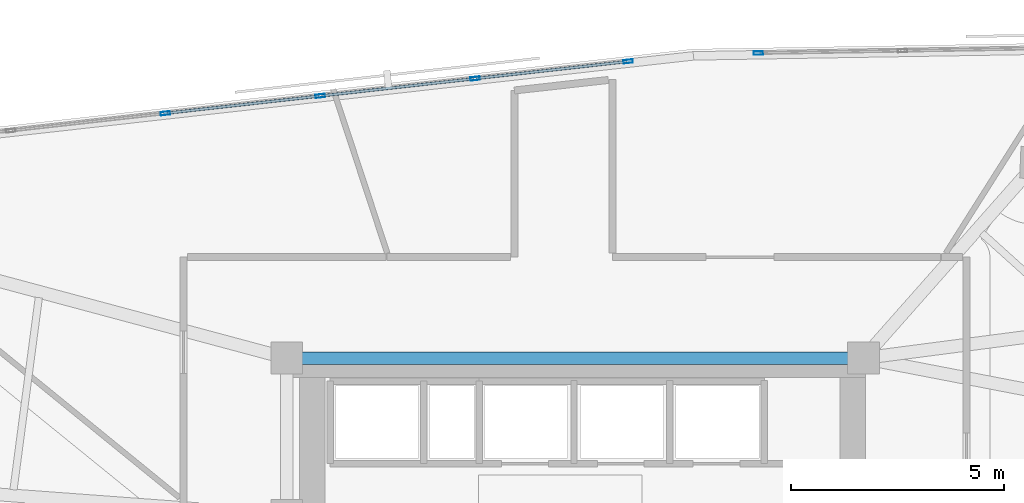
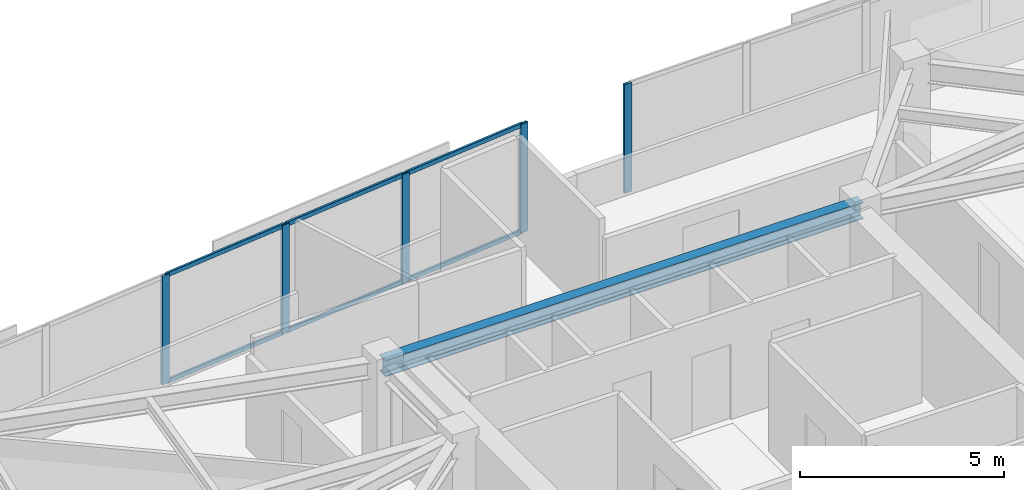
# One storey, part 3 of 13: 11 members, 1 beam, 2 elements without a shape of their own.
"""IFC4 building model written with IfcOpenShell, lengths in metres."""

import ifcopenshell
import ifcopenshell.guid

model = None  # the IFC model being written
_history = None  # IfcOwnerHistory: only IFC2X3 demands one
_inside = {}  # id of a spatial element -> (the spatial element, [elements in it])
_under = {}  # id of a project, library or spatial element -> (it, [spatial elements below it])
_declared = {}  # id of a project -> (the project, [libraries it declares])
_typed = {}  # id of a type object -> (the type object, [elements of that type])
_made_of = {}  # id of a material, layer set ... -> (it, [elements and type objects made of it])


def new_model(schema):
    """Start an empty IFC model of exactly this schema.

    Asked for "IFC4X3", IfcOpenShell would pick the latest addendum, in which some entities
    have other attributes; the version numbers below select the first issue.
    IFC2X3 requires an IfcOwnerHistory on every rooted entity: one is made here for all.
    """
    global model, _history
    if schema == "IFC4X3":
        model = ifcopenshell.file(schema_version=(4, 3, 0, 0))
    else:
        model = ifcopenshell.file(schema=schema)
    _inside.clear()
    _under.clear()
    _declared.clear()
    _typed.clear()
    _made_of.clear()
    _history = None
    if model.schema == "IFC2X3":
        org = make("IfcOrganization", Name="unknown")
        user = make(
            "IfcPersonAndOrganization",
            ThePerson=make("IfcPerson", FamilyName="unknown"),
            TheOrganization=org,
        )
        app = make(
            "IfcApplication",
            ApplicationDeveloper=org,
            Version="unknown",
            ApplicationFullName="unknown",
            ApplicationIdentifier="unknown",
        )
        _history = make(
            "IfcOwnerHistory",
            OwningUser=user,
            OwningApplication=app,
            ChangeAction="ADDED",
            CreationDate=0,
        )
    return model


def make(cls, **values):
    """One entity of the class cls with the attributes given. An attribute that is None is left unset."""
    return model.create_entity(
        cls, **{name: value for name, value in values.items() if value is not None}
    )


def rooted(cls, **values):
    """An entity with a GlobalId (a new one), such as an element, a storey or a relation."""
    return make(cls, GlobalId=ifcopenshell.guid.new(), OwnerHistory=_history, **values)


def si_unit(unit_type, name, prefix=None):
    """IfcSIUnit, for example si_unit("LENGTHUNIT", "METRE", prefix="MILLI")."""
    return make("IfcSIUnit", UnitType=unit_type, Prefix=prefix, Name=name)


def assignment(units):
    """IfcUnitAssignment: the units of a project."""
    return None if units is None else make("IfcUnitAssignment", Units=units)


def point(xyz):
    """IfcCartesianPoint."""
    return None if xyz is None else make("IfcCartesianPoint", Coordinates=xyz)


def direction(xyz):
    """IfcDirection."""
    return None if xyz is None else make("IfcDirection", DirectionRatios=xyz)


def frame(location, z_axis=None, x_axis=None):
    """IfcAxis2Placement3D, a coordinate frame: its origin and axes. An axis left out is left unset."""
    return make(
        "IfcAxis2Placement3D",
        Location=point(location),
        Axis=direction(z_axis),
        RefDirection=direction(x_axis),
    )


def frame_2d(location, x_axis=None):
    """IfcAxis2Placement2D, a coordinate frame in the plane: its origin and x axis."""
    return make(
        "IfcAxis2Placement2D", Location=point(location), RefDirection=direction(x_axis)
    )


def origin():
    """The frame at (0, 0, 0) with its axes left unset."""
    return frame((0.0, 0.0, 0.0))


def origin_2d():
    """The frame at (0, 0) in the plane with its x axis left unset."""
    return frame_2d((0.0, 0.0))


def place(relative_to, where):
    """IfcLocalPlacement: puts the frame where relative to a parent placement (None: the world)."""
    return make(
        "IfcLocalPlacement", PlacementRelTo=relative_to, RelativePlacement=where
    )


def context(
    kind, dimensions, precision=None, world=None, true_north=None, identifier=None
):
    """IfcGeometricRepresentationContext, for example the 3D "Model" context."""
    return make(
        "IfcGeometricRepresentationContext",
        ContextIdentifier=identifier,
        ContextType=kind,
        CoordinateSpaceDimension=dimensions,
        Precision=precision,
        WorldCoordinateSystem=world,
        TrueNorth=true_north,
    )


def subcontext(parent, identifier, kind, view, scale=None):
    """IfcGeometricRepresentationSubContext, for example "Body" below "Model"."""
    return make(
        "IfcGeometricRepresentationSubContext",
        ContextIdentifier=identifier,
        ContextType=kind,
        ParentContext=parent,
        TargetScale=scale,
        TargetView=view,
    )


def project(units=None, contexts=None):
    """IfcProject with its units and contexts."""
    return rooted(
        "IfcProject",
        Name="project",
        RepresentationContexts=contexts,
        UnitsInContext=assignment(units),
    )


def spatial(cls, under=None, at=None, **own):
    """A site, building, storey or space (cls), placed at a placement, below another one or the project."""
    s = rooted(cls, ObjectPlacement=at, **own)
    if under is not None:
        _under.setdefault(under.id(), (under, []))[1].append(s)
    return s


def profile(cls, at=None, kind="AREA", **sizes):
    """A parametric profile (cls). Its sizes go by their IFC names, for example OverallWidth=200.0."""
    return make(cls, ProfileType=kind, Position=at, **sizes)


def hollow_rectangle(**sizes):
    """IfcRectangleHollowProfileDef."""
    return profile("IfcRectangleHollowProfileDef", **sizes)


def i_section(**sizes):
    """IfcIShapeProfileDef."""
    return profile("IfcIShapeProfileDef", **sizes)


def extrude(swept, where, along, depth):
    """IfcExtrudedAreaSolid: the profile swept, set in the frame where, extruded along a direction by depth."""
    return make(
        "IfcExtrudedAreaSolid",
        SweptArea=swept,
        Position=where,
        ExtrudedDirection=direction(along),
        Depth=depth,
    )


def shape(context_of_items, identifier, shape_type, items):
    """IfcShapeRepresentation: the items that make up one representation, for example the "Body"."""
    return make(
        "IfcShapeRepresentation",
        ContextOfItems=context_of_items,
        RepresentationIdentifier=identifier,
        RepresentationType=shape_type,
        Items=items,
    )


def material(Name=None, Category=None):
    """IfcMaterial."""
    return make("IfcMaterial", Name=Name, Category=Category)


def material_profile(
    of_material, cross_section, Name=None, Category=None, Priority=None
):
    """IfcMaterialProfile: a cross section and its material."""
    return make(
        "IfcMaterialProfile",
        Name=Name,
        Material=of_material,
        Profile=cross_section,
        Priority=Priority,
        Category=Category,
    )


def profile_set(profiles, Name=None, composite=None):
    """IfcMaterialProfileSet."""
    return make(
        "IfcMaterialProfileSet",
        Name=Name,
        MaterialProfiles=profiles,
        CompositeProfile=composite,
    )


def made_of(thing, what):
    """Note that an element or type object is made of a material, layer set ...; save() writes the relation."""
    if what is not None:
        _made_of.setdefault(what.id(), (what, []))[1].append(thing)
    return thing


def type_object(cls, material=None, **own):
    """A type object (cls), such as IfcWallType, which elements share."""
    return made_of(rooted(cls, **own), material)


def element(
    cls,
    number,
    at=None,
    inside=None,
    cuts=None,
    type_object=None,
    material=None,
    context=None,
    identifier="Body",
    shape_type=None,
    held_by="IfcProductDefinitionShape",
    body=None,
    shapes=None,
    **own,
):
    """One element of the class cls, such as IfcWall. Its Tag is "e" and its number.

    at: its placement. inside: the storey or other place that contains it. cuts: it is an
    opening in that element (IfcRelVoidsElement). A single representation is given by context,
    identifier, shape_type and body (its items); several are given by shapes. held_by: the class
    of the entity that holds the representations. save() writes the other relations.
    """
    e = rooted(cls, Tag="e%d" % number, ObjectPlacement=at, **own)
    if body is not None:
        shapes = [shape(context, identifier, shape_type, body)]
    if shapes is not None:
        e.Representation = make(held_by, Representations=shapes)
    if inside is not None:
        _inside.setdefault(inside.id(), (inside, []))[1].append(e)
    if cuts is not None:
        rooted(
            "IfcRelVoidsElement", RelatingBuildingElement=cuts, RelatedOpeningElement=e
        )
    if type_object is not None:
        _typed.setdefault(type_object.id(), (type_object, []))[1].append(e)
    return made_of(e, material)


def aggregate(whole, parts):
    """IfcRelAggregates: a whole, such as a stair, and the parts it consists of."""
    return rooted("IfcRelAggregates", RelatingObject=whole, RelatedObjects=parts)


def save(model, path):
    """Write the relations noted so far, then the file.

    IfcRelAggregates (storeys below a building ...), IfcRelContainedInSpatialStructure (elements
    in a storey), IfcRelDefinesByType, IfcRelAssociatesMaterial and IfcRelDeclares: one each for
    every whole, place, type object, material and project.
    """
    for whole, parts in _under.values():
        aggregate(whole, parts)
    for where, things in _inside.values():
        rooted(
            "IfcRelContainedInSpatialStructure",
            RelatedElements=things,
            RelatingStructure=where,
        )
    for kind, things in _typed.values():
        rooted("IfcRelDefinesByType", RelatedObjects=things, RelatingType=kind)
    for what, things in _made_of.values():
        rooted("IfcRelAssociatesMaterial", RelatedObjects=things, RelatingMaterial=what)
    for by, libraries in _declared.values():
        rooted("IfcRelDeclares", RelatingContext=by, RelatedDefinitions=libraries)
    model.write(path)


model = new_model("IFC4")

# Units and contexts
model_context = context("Model", 3, precision=1e-05, world=origin(), true_north=direction((0.0, 1.0)))
body_context = subcontext(model_context, "Body", "Model", "MODEL_VIEW")
ifc_project = project(units=[si_unit("LENGTHUNIT", "METRE"), si_unit("AREAUNIT", "SQUARE_METRE"), si_unit("VOLUMEUNIT", "CUBIC_METRE"), si_unit("PLANEANGLEUNIT", "RADIAN"), si_unit("MASSUNIT", "GRAM", prefix="KILO")], contexts=[model_context])

# Site, building, storey
site_placement = place(None, origin())
site = spatial("IfcSite", under=ifc_project, at=site_placement, CompositionType="ELEMENT")
building_placement = place(site_placement, origin())
building = spatial("IfcBuilding", under=site, at=building_placement, Name="Narakoshi Arena Tower", CompositionType="ELEMENT")
storey_placement = place(building_placement, frame((0.0, 0.0, 281.860107421875)))
storey = spatial("IfcBuildingStorey", under=building, at=storey_placement, Name="L77", CompositionType="ELEMENT", Elevation=281.860107421875)

# Beam
ifc_material_1 = material(Name="Structural steel S355J2", Category="steel")
ifc_material_profile_1 = material_profile(ifc_material_1, i_section(OverallWidth=0.300048828125, OverallDepth=0.5, WebThickness=0.014404296875, FlangeThickness=0.028076171875, FilletRadius=0.027099609375, at=origin_2d()), Name="HE500B")
ifc_profile_set_1 = profile_set([ifc_material_profile_1], Name="Structural steel S355J2")
beam_type = type_object("IfcBeamType", Name="BM-PRI-500", PredefinedType="BEAM", material=ifc_profile_set_1)
beam_placement = place(storey_placement, frame((72.0, 56.5, 3.010009765625), z_axis=(1.0, 0.0, 0.0), x_axis=(0.0, 1.0, 0.0)))
element("IfcBeam", 1, at=beam_placement, inside=storey, type_object=beam_type, Name="L77 Core Perimeter Frame Beam CC5-CC6", PredefinedType="BEAM", context=body_context, shape_type="SweptSolid", body=[
    extrude(i_section(OverallWidth=0.300048828125, OverallDepth=0.5, WebThickness=0.014404296875, FlangeThickness=0.028076171875, FilletRadius=0.027099609375, at=origin_2d()), origin(), (0.0, 0.0, 1.0), 13.550048828125),
])

# Curtain wall, member
ifc_material_2 = material(Name="Anodised bronze aluminium 6063-T6", Category="aluminium")
curtain_wall_type = type_object("IfcCurtainWallType", Name="CW-HYP-HIGH", PredefinedType="NOTDEFINED", material=ifc_material_2)
curtain_wall_1_placement = place(storey_placement, origin())
curtain_wall_1 = element("IfcCurtainWall", 2, at=curtain_wall_1_placement, inside=storey, type_object=curtain_wall_type, Name="L77 Folded Hypotenuse Curtain Wall 1-1", PredefinedType="NOTDEFINED")
ifc_material_profile_2 = material_profile(ifc_material_2, hollow_rectangle(XDim=0.080078125, YDim=0.219970703125, WallThickness=0.0048828125, OuterFilletRadius=0.006103515625, at=origin_2d()), Name="MUL220x80x5")
ifc_profile_set_2 = profile_set([ifc_material_profile_2], Name="Anodised bronze aluminium 6063-T6")
member_type_1 = type_object("IfcMemberType", Name="MEM-MUL-220", PredefinedType="MULLION", material=ifc_profile_set_2)
member_1_placement = place(storey_placement, frame((83.08056640625, 63.668212890625, 0.0), z_axis=(0.0, 0.0, 1.0), x_axis=(0.016442997569, -0.999864804777, 0.0)))
member_1 = element("IfcMember", 3, at=member_1_placement, type_object=member_type_1, Name="CW-03 mullion 9", PredefinedType="MULLION", context=body_context, shape_type="SweptSolid", body=[
    extrude(hollow_rectangle(XDim=0.080078125, YDim=0.219970703125, WallThickness=0.0048828125, OuterFilletRadius=0.006103515625, at=origin_2d()), origin(), (0.0, 0.0, 1.0), 3.260009765625),
])
aggregate(curtain_wall_1, [member_1])

# Curtain wall, members
curtain_wall_2_placement = place(storey_placement, origin())
curtain_wall_2 = element("IfcCurtainWall", 4, at=curtain_wall_2_placement, inside=storey, type_object=curtain_wall_type, Name="L77 Folded Hypotenuse Curtain Wall 2-1", PredefinedType="NOTDEFINED")
member_2_placement = place(storey_placement, frame((80.021728515625, 63.471923828125, 0.0), z_axis=(0.0, 0.0, 1.0), x_axis=(0.111396496086, -0.9937760415, 0.0)))
member_2 = element("IfcMember", 5, at=member_2_placement, type_object=member_type_1, Name="CW-03 mullion 1", PredefinedType="MULLION", context=body_context, shape_type="SweptSolid", body=[
    extrude(hollow_rectangle(XDim=0.080078125, YDim=0.219970703125, WallThickness=0.0048828125, OuterFilletRadius=0.006103515625, at=origin_2d()), origin(), (0.0, 0.0, 1.0), 3.260009765625),
])
member_3_placement = place(storey_placement, frame((76.423828125, 63.06884765625, 0.0), z_axis=(0.0, 0.0, 1.0), x_axis=(0.111396496086, -0.9937760415, 0.0)))
member_3 = element("IfcMember", 6, at=member_3_placement, type_object=member_type_1, Name="CW-03 mullion 2", PredefinedType="MULLION", context=body_context, shape_type="SweptSolid", body=[
    extrude(hollow_rectangle(XDim=0.080078125, YDim=0.219970703125, WallThickness=0.0048828125, OuterFilletRadius=0.006103515625, at=origin_2d()), origin(), (0.0, 0.0, 1.0), 3.260009765625),
])
member_4_placement = place(storey_placement, frame((72.786376953125, 62.660888671875, 0.0), z_axis=(0.0, 0.0, 1.0), x_axis=(0.111396496086, -0.9937760415, 0.0)))
member_4 = element("IfcMember", 7, at=member_4_placement, type_object=member_type_1, Name="CW-03 mullion 3", PredefinedType="MULLION", context=body_context, shape_type="SweptSolid", body=[
    extrude(hollow_rectangle(XDim=0.080078125, YDim=0.219970703125, WallThickness=0.0048828125, OuterFilletRadius=0.006103515625, at=origin_2d()), origin(), (0.0, 0.0, 1.0), 3.260009765625),
])
member_5_placement = place(storey_placement, frame((69.148681640625, 62.253173828125, 0.0), z_axis=(0.0, 0.0, 1.0), x_axis=(0.111396496086, -0.9937760415, 0.0)))
member_5 = element("IfcMember", 8, at=member_5_placement, type_object=member_type_1, Name="CW-03 mullion 4", PredefinedType="MULLION", context=body_context, shape_type="SweptSolid", body=[
    extrude(hollow_rectangle(XDim=0.080078125, YDim=0.219970703125, WallThickness=0.0048828125, OuterFilletRadius=0.006103515625, at=origin_2d()), origin(), (0.0, 0.0, 1.0), 3.260009765625),
])
ifc_material_profile_3 = material_profile(ifc_material_2, hollow_rectangle(XDim=0.06494140625, YDim=0.1298828125, WallThickness=0.00390625, OuterFilletRadius=0.0048828125, at=origin_2d()), Name="TRN130x65x4")
ifc_profile_set_3 = profile_set([ifc_material_profile_3], Name="Anodised bronze aluminium 6063-T6")
member_type_2 = type_object("IfcMemberType", Name="MEM-TRN-130", PredefinedType="USERDEFINED", material=ifc_profile_set_3)
member_6_placement = place(storey_placement, frame((79.98193359375, 63.467529296875, 0.032470703125), z_axis=(-0.993779010945, -0.111370002267, 0.0), x_axis=(0.111370002267, -0.993779010945, 0.0)))
member_6 = element("IfcMember", 9, at=member_6_placement, type_object=member_type_2, Name="CW-03 transom 1.1", ObjectType="TRANSOM", PredefinedType="USERDEFINED", context=body_context, shape_type="SweptSolid", body=[
    extrude(hollow_rectangle(XDim=0.06494140625, YDim=0.1298828125, WallThickness=0.00390625, OuterFilletRadius=0.0048828125, at=origin_2d()), origin(), (0.0, 0.0, 1.0), 3.540283203125),
])
member_7_placement = place(storey_placement, frame((79.98193359375, 63.467529296875, 3.227294921875), z_axis=(-0.993779010945, -0.111370002267, 0.0), x_axis=(0.111370002267, -0.993779010945, 0.0)))
member_7 = element("IfcMember", 10, at=member_7_placement, type_object=member_type_2, Name="CW-03 transom 1.2", ObjectType="TRANSOM", PredefinedType="USERDEFINED", context=body_context, shape_type="SweptSolid", body=[
    extrude(hollow_rectangle(XDim=0.06494140625, YDim=0.1298828125, WallThickness=0.00390625, OuterFilletRadius=0.0048828125, at=origin_2d()), origin(), (0.0, 0.0, 1.0), 3.540283203125),
])
member_8_placement = place(storey_placement, frame((76.38427734375, 63.064208984375, 0.032470703125), z_axis=(-0.993781025425, -0.111352025149, 0.0), x_axis=(0.111352025149, -0.993781025425, 0.0)))
member_8 = element("IfcMember", 11, at=member_8_placement, type_object=member_type_2, Name="CW-03 transom 2.1", ObjectType="TRANSOM", PredefinedType="USERDEFINED", context=body_context, shape_type="SweptSolid", body=[
    extrude(hollow_rectangle(XDim=0.06494140625, YDim=0.1298828125, WallThickness=0.00390625, OuterFilletRadius=0.0048828125, at=origin_2d()), origin(), (0.0, 0.0, 1.0), 3.580322265625),
])
member_9_placement = place(storey_placement, frame((76.38427734375, 63.064208984375, 3.227294921875), z_axis=(-0.993781025425, -0.111352025149, 0.0), x_axis=(0.111352025149, -0.993781025425, 0.0)))
member_9 = element("IfcMember", 12, at=member_9_placement, type_object=member_type_2, Name="CW-03 transom 2.2", ObjectType="TRANSOM", PredefinedType="USERDEFINED", context=body_context, shape_type="SweptSolid", body=[
    extrude(hollow_rectangle(XDim=0.06494140625, YDim=0.1298828125, WallThickness=0.00390625, OuterFilletRadius=0.0048828125, at=origin_2d()), origin(), (0.0, 0.0, 1.0), 3.580322265625),
])
member_10_placement = place(storey_placement, frame((72.74658203125, 62.656494140625, 0.032470703125), z_axis=(-0.993781025425, -0.111352025149, 0.0), x_axis=(0.111352025149, -0.993781025425, 0.0)))
member_10 = element("IfcMember", 13, at=member_10_placement, type_object=member_type_2, Name="CW-03 transom 3.1", ObjectType="TRANSOM", PredefinedType="USERDEFINED", context=body_context, shape_type="SweptSolid", body=[
    extrude(hollow_rectangle(XDim=0.06494140625, YDim=0.1298828125, WallThickness=0.00390625, OuterFilletRadius=0.0048828125, at=origin_2d()), origin(), (0.0, 0.0, 1.0), 3.580322265625),
])
member_11_placement = place(storey_placement, frame((72.74658203125, 62.656494140625, 3.227294921875), z_axis=(-0.993781025425, -0.111352025149, 0.0), x_axis=(0.111352025149, -0.993781025425, 0.0)))
member_11 = element("IfcMember", 14, at=member_11_placement, type_object=member_type_2, Name="CW-03 transom 3.2", ObjectType="TRANSOM", PredefinedType="USERDEFINED", context=body_context, shape_type="SweptSolid", body=[
    extrude(hollow_rectangle(XDim=0.06494140625, YDim=0.1298828125, WallThickness=0.00390625, OuterFilletRadius=0.0048828125, at=origin_2d()), origin(), (0.0, 0.0, 1.0), 3.580322265625),
])
aggregate(curtain_wall_2, [member_2, member_3, member_4, member_5, member_6, member_7, member_8, member_9, member_10, member_11])

save(model, "model.ifc")
